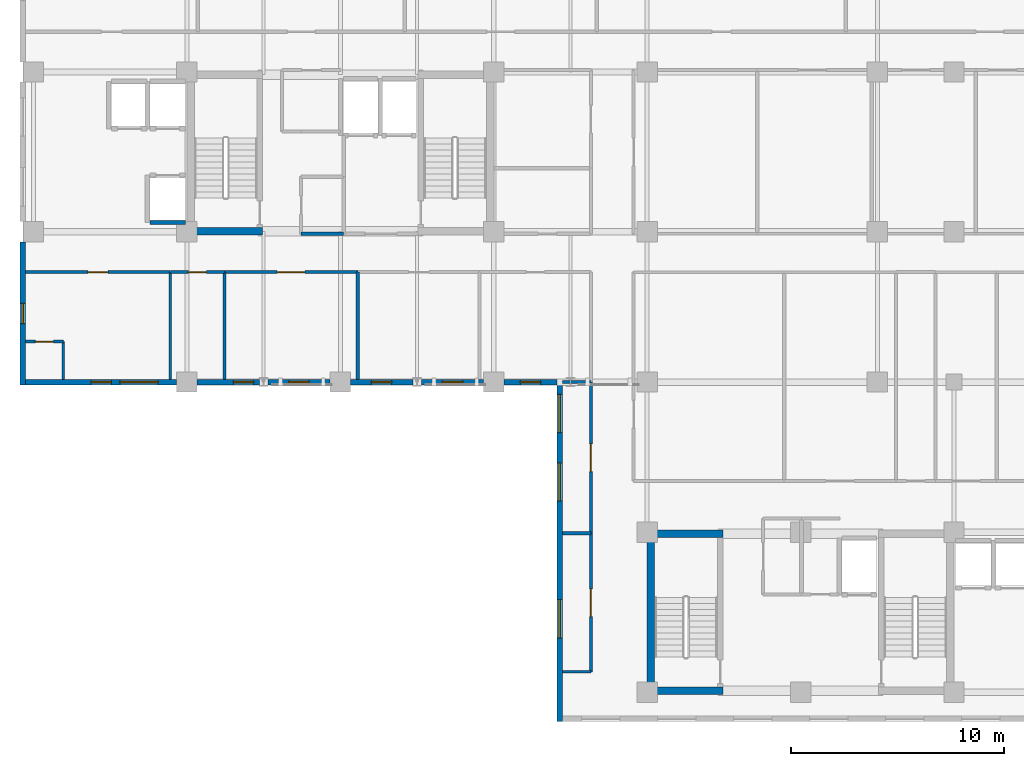
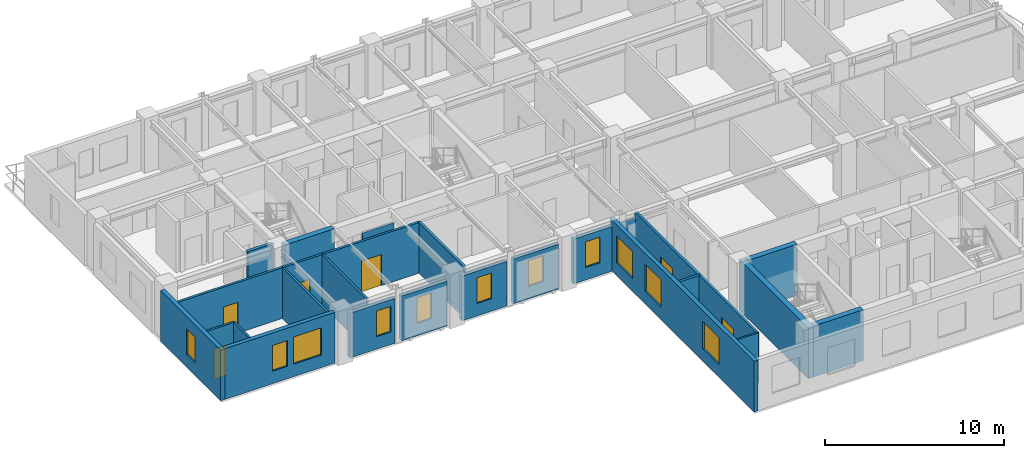
# One storey, part 5 of 13: 27 walls, 11 windows, 6 doors, 17 openings.
"""IFC4 building model written with IfcOpenShell, lengths in metres."""

from ifc_helpers import new_model, si_unit, direction, frame, frame_2d, origin, place, context, subcontext, project, spatial, rectangle, extrude, material, layer, layer_set, type_object, element, fill, save


model = new_model("IFC4")

# Units and contexts
model_context = context("Model", 3, precision=1e-05, world=origin(), true_north=direction((0.0, 1.0)))
body_context = subcontext(model_context, "Body", "Model", "MODEL_VIEW")
ifc_project = project(units=[si_unit("LENGTHUNIT", "METRE"), si_unit("AREAUNIT", "SQUARE_METRE"), si_unit("VOLUMEUNIT", "CUBIC_METRE"), si_unit("PLANEANGLEUNIT", "RADIAN"), si_unit("MASSUNIT", "GRAM", prefix="KILO")], contexts=[model_context])

# Site, building, storey
site_placement = place(None, origin())
site = spatial("IfcSite", under=ifc_project, at=site_placement, CompositionType="ELEMENT")
building_placement = place(site_placement, origin())
building = spatial("IfcBuilding", under=site, at=building_placement, Name="Kaliganga Portal Commons", CompositionType="ELEMENT")
storey_placement = place(building_placement, frame((0.0, 0.0, 212.89990234375)))
storey = spatial("IfcBuildingStorey", under=building, at=storey_placement, Name="L54", CompositionType="ELEMENT", Elevation=212.89990234375)

# Walls
ifc_material_1 = material(Name="Concrete C50/60", Category="concrete")
ifc_layer_1 = layer(ifc_material_1, 0.35009765625)
ifc_layer_set_1 = layer_set([ifc_layer_1], Name="Concrete C50/60")
wall_type_1 = type_object("IfcWallType", Name="WL-CORE-350", PredefinedType="SHEAR", material=ifc_layer_set_1)
wall_1_placement = place(storey_placement, frame((14.75, 28.675048828125, 0.0), z_axis=(0.0, 0.0, 1.0), x_axis=(1.0, 0.0, 0.0)))
element("IfcWall", 1, at=wall_1_placement, inside=storey, type_object=wall_type_1, Name="Core A S-West Shear Wall L54", PredefinedType="SHEAR", context=body_context, shape_type="SweptSolid", body=[
    extrude(rectangle(XDim=3.199951171875, YDim=0.35009765625, at=frame_2d((1.60009765625, 0.0))), origin(), (0.0, 0.0, 1.0), 3.47021484375),
])
wall_2_placement = place(storey_placement, frame((36.175048828125, 6.949951171875, 0.0), z_axis=(0.0, 0.0, 1.0), x_axis=(0.0, 1.0, 0.0)))
element("IfcWall", 2, at=wall_2_placement, inside=storey, type_object=wall_type_1, Name="Core B West Shear Wall L54", PredefinedType="SHEAR", context=body_context, shape_type="SweptSolid", body=[
    extrude(rectangle(XDim=7.699951171875, YDim=0.35009765625, at=frame_2d((3.85009765625, 0.0))), origin(), (0.0, 0.0, 1.0), 3.47021484375),
])
for number, where, z_axis, x_axis, name in (
    (3, (36.35009765625, 7.125, 0.0), (0.0, 0.0, 1.0), (1.0, 0.0, 0.0), "Core B S-West Shear Wall L54"),
    (4, (36.35009765625, 14.47509765625, 0.0), (0.0, 0.0, 1.0), (1.0, 0.0, 0.0), "Core B N-West Shear Wall L54"),
):
    element("IfcWall", number, at=place(storey_placement, frame(where, z_axis=z_axis, x_axis=x_axis)), inside=storey, type_object=wall_type_1, Name=name, PredefinedType="SHEAR", context=body_context, shape_type="SweptSolid", body=[
        extrude(rectangle(XDim=3.199951171875, YDim=0.35009765625, at=frame_2d((1.60009765625, 0.0))), origin(), (0.0, 0.0, 1.0), 3.47021484375),
    ])

# Wall, opening, window
ifc_material_2 = material(Name="Insulated Aluminium-Clad Spandrel Assembly", Category="aluminium")
ifc_layer_2 = layer(ifc_material_2, 0.260009765625)
ifc_layer_set_2 = layer_set([ifc_layer_2], Name="Insulated Aluminium-Clad Spandrel Assembly")
wall_type_2 = type_object("IfcWallType", Name="WL-EXT-SPAND-260", PredefinedType="STANDARD", material=ifc_layer_set_2)
wall_3_placement = place(storey_placement, frame((6.699951171875, 21.469970703125, 0.0), z_axis=(0.0, 0.0, 1.0), x_axis=(0.0, 1.0, 0.0)))
wall_3 = element("IfcWall", 5, at=wall_3_placement, inside=storey, type_object=wall_type_2, Name="Exterior Envelope Wall L54 P1-E03-S3", PredefinedType="STANDARD", context=body_context, shape_type="SweptSolid", body=[
    extrude(rectangle(XDim=6.7041015625, YDim=0.260009765625, at=frame_2d((3.35205078125, 0.0))), origin(), (0.0, 0.0, 1.0), 3.4501953125),
])
opening_1_placement = place(wall_3_placement, frame((2.876953125, 0.0, 0.85009765625)))
opening_1 = element("IfcOpeningElement", 6, at=opening_1_placement, cuts=wall_3, Name="Opening W-04", PredefinedType="OPENING", context=body_context, shape_type="SweptSolid", body=[
    extrude(rectangle(XDim=0.949951171875, YDim=1.75, at=frame_2d((0.47509765625, 0.875))), frame((0.0, 0.14013671875, 0.0), z_axis=(0.0, -1.0, 0.0), x_axis=(1.0, 0.0, 0.0)), (0.0, 0.0, 1.0), 0.280029296875),
])
ifc_material_3 = material(Name="Thermally Broken Aluminium and Low-E Double Glazing", Category="aluminium")
window_type_1 = type_object("IfcWindowType", Name="WIN-NARROW-950", PartitioningType="SINGLE_PANEL", PredefinedType="WINDOW", material=ifc_material_3)
window_1_placement = place(opening_1_placement, origin())
window_1 = element("IfcWindow", 7, at=window_1_placement, inside=storey, type_object=window_type_1, Name="Facade Window L54-P1E03S3-N0", OverallHeight=1.75, OverallWidth=0.949951171875, PartitioningType="SINGLE_PANEL", PredefinedType="WINDOW", context=body_context, shape_type="SweptSolid", body=[
    extrude(rectangle(XDim=0.949951171875, YDim=1.75, at=frame_2d((0.47509765625, 0.875))), frame((0.0, 0.030029296875, 0.0), z_axis=(0.0, -1.0, 0.0), x_axis=(1.0, 0.0, 0.0)), (0.0, 0.0, 1.0), 0.06005859375),
])
fill(opening_1, window_1)

# Wall, openings, windows
wall_4_placement = place(storey_placement, frame((13.924072265625, 21.60009765625, 0.0), z_axis=(0.0, 0.0, 1.0), x_axis=(-1.0, 0.0, 0.0)))
wall_4 = element("IfcWall", 8, at=wall_4_placement, inside=storey, type_object=wall_type_2, Name="Exterior Envelope Wall L54 P1-E04-S1", PredefinedType="STANDARD", context=body_context, shape_type="SweptSolid", body=[
    extrude(rectangle(XDim=7.089111328125, YDim=0.260009765625, at=frame_2d((3.54443359375, 0.0))), origin(), (0.0, 0.0, 1.0), 3.4501953125),
])
opening_2_placement = place(wall_4_placement, frame((0.872314453125, 0.0, 0.85009765625)))
opening_2 = element("IfcOpeningElement", 9, at=opening_2_placement, cuts=wall_4, Name="Opening W-01", PredefinedType="OPENING", context=body_context, shape_type="SweptSolid", body=[
    extrude(rectangle(XDim=1.800048828125, YDim=1.85009765625, at=frame_2d((0.89990234375, 0.925048828125))), frame((0.0, 0.14013671875, 0.0), z_axis=(0.0, -1.0, 0.0), x_axis=(1.0, 0.0, 0.0)), (0.0, 0.0, 1.0), 0.280029296875),
])
opening_3_placement = place(wall_4_placement, frame((3.069580078125, 0.0, 0.85009765625)))
opening_3 = element("IfcOpeningElement", 10, at=opening_3_placement, cuts=wall_4, Name="Opening W-04", PredefinedType="OPENING", context=body_context, shape_type="SweptSolid", body=[
    extrude(rectangle(XDim=0.949951171875, YDim=1.75, at=frame_2d((0.47509765625, 0.875))), frame((0.0, 0.14013671875, 0.0), z_axis=(0.0, -1.0, 0.0), x_axis=(1.0, 0.0, 0.0)), (0.0, 0.0, 1.0), 0.280029296875),
])
window_2_placement = place(opening_3_placement, origin())
window_2 = element("IfcWindow", 11, at=window_2_placement, inside=storey, type_object=window_type_1, Name="Facade Window L54-P1E04S1-N0", OverallHeight=1.75, OverallWidth=0.949951171875, PartitioningType="SINGLE_PANEL", PredefinedType="WINDOW", context=body_context, shape_type="SweptSolid", body=[
    extrude(rectangle(XDim=0.949951171875, YDim=1.75, at=frame_2d((0.47509765625, 0.875))), frame((0.0, 0.030029296875, 0.0), z_axis=(0.0, -1.0, 0.0), x_axis=(1.0, 0.0, 0.0)), (0.0, 0.0, 1.0), 0.06005859375),
])
fill(opening_3, window_2)
window_type_2 = type_object("IfcWindowType", Name="WIN-STD-1800", PartitioningType="DOUBLE_PANEL_VERTICAL", PredefinedType="WINDOW", material=ifc_material_3)
window_3_placement = place(opening_2_placement, origin())
window_3 = element("IfcWindow", 12, at=window_3_placement, inside=storey, type_object=window_type_2, Name="Facade Window L54-P1E04S1-00", OverallHeight=1.85009765625, OverallWidth=1.800048828125, PartitioningType="SINGLE_PANEL", PredefinedType="WINDOW", context=body_context, shape_type="SweptSolid", body=[
    extrude(rectangle(XDim=1.800048828125, YDim=1.85009765625, at=frame_2d((0.89990234375, 0.925048828125))), frame((0.0, 0.030029296875, 0.0), z_axis=(0.0, -1.0, 0.0), x_axis=(1.0, 0.0, 0.0)), (0.0, 0.0, 1.0), 0.06005859375),
])
fill(opening_2, window_3)

# Wall, opening, window
wall_5_placement = place(storey_placement, frame((17.799560546875, 21.60009765625, 0.0), z_axis=(0.0, 0.0, 1.0), x_axis=(-1.0, 0.0, 0.0)))
wall_5 = element("IfcWall", 13, at=wall_5_placement, inside=storey, type_object=wall_type_2, Name="Exterior Envelope Wall L54 P1-E04-S2", PredefinedType="STANDARD", context=body_context, shape_type="SweptSolid", body=[
    extrude(rectangle(XDim=2.923583984375, YDim=0.260009765625, at=frame_2d((1.4619140625, 0.0))), origin(), (0.0, 0.0, 1.0), 3.050048828125),
])
opening_4_placement = place(wall_5_placement, frame((0.26171875, 0.0, 0.85009765625)))
opening_4 = element("IfcOpeningElement", 14, at=opening_4_placement, cuts=wall_5, Name="Opening W-04", PredefinedType="OPENING", context=body_context, shape_type="SweptSolid", body=[
    extrude(rectangle(XDim=0.949951171875, YDim=1.75, at=frame_2d((0.47509765625, 0.875))), frame((0.0, 0.14013671875, 0.0), z_axis=(0.0, -1.0, 0.0), x_axis=(1.0, 0.0, 0.0)), (0.0, 0.0, 1.0), 0.280029296875),
])
window_4_placement = place(opening_4_placement, origin())
window_4 = element("IfcWindow", 15, at=window_4_placement, inside=storey, type_object=window_type_1, Name="Facade Window L54-P1E04S2-N1", OverallHeight=1.75, OverallWidth=0.949951171875, PartitioningType="SINGLE_PANEL", PredefinedType="WINDOW", context=body_context, shape_type="SweptSolid", body=[
    extrude(rectangle(XDim=0.949951171875, YDim=1.75, at=frame_2d((0.47509765625, 0.875))), frame((0.0, 0.030029296875, 0.0), z_axis=(0.0, -1.0, 0.0), x_axis=(1.0, 0.0, 0.0)), (0.0, 0.0, 1.0), 0.06005859375),
])
fill(opening_4, window_4)

wall_6_placement = place(storey_placement, frame((21.1240234375, 21.60009765625, 0.0), z_axis=(0.0, 0.0, 1.0), x_axis=(-1.0, 0.0, 0.0)))
wall_6 = element("IfcWall", 16, at=wall_6_placement, inside=storey, type_object=wall_type_2, Name="Exterior Envelope Wall L54 P1-E04-S3", PredefinedType="STANDARD", context=body_context, shape_type="SweptSolid", body=[
    extrude(rectangle(XDim=2.923583984375, YDim=0.260009765625, at=frame_2d((1.4619140625, 0.0))), origin(), (0.0, 0.0, 1.0), 3.050048828125),
])
opening_5_placement = place(wall_6_placement, frame((0.98681640625, 0.0, 0.85009765625)))
opening_5 = element("IfcOpeningElement", 17, at=opening_5_placement, cuts=wall_6, Name="Opening W-04", PredefinedType="OPENING", context=body_context, shape_type="SweptSolid", body=[
    extrude(rectangle(XDim=0.949951171875, YDim=1.75, at=frame_2d((0.47509765625, 0.875))), frame((0.0, 0.14013671875, 0.0), z_axis=(0.0, -1.0, 0.0), x_axis=(1.0, 0.0, 0.0)), (0.0, 0.0, 1.0), 0.280029296875),
])
window_5_placement = place(opening_5_placement, origin())
window_5 = element("IfcWindow", 18, at=window_5_placement, inside=storey, type_object=window_type_1, Name="Facade Window L54-P1E04S3-00", OverallHeight=1.75, OverallWidth=0.949951171875, PartitioningType="SINGLE_PANEL", PredefinedType="WINDOW", context=body_context, shape_type="SweptSolid", body=[
    extrude(rectangle(XDim=0.949951171875, YDim=1.75, at=frame_2d((0.47509765625, 0.875))), frame((0.0, 0.030029296875, 0.0), z_axis=(0.0, -1.0, 0.0), x_axis=(1.0, 0.0, 0.0)), (0.0, 0.0, 1.0), 0.06005859375),
])
fill(opening_5, window_5)

wall_7_placement = place(storey_placement, frame((24.99951171875, 21.60009765625, 0.0), z_axis=(0.0, 0.0, 1.0), x_axis=(-1.0, 0.0, 0.0)))
wall_7 = element("IfcWall", 19, at=wall_7_placement, inside=storey, type_object=wall_type_2, Name="Exterior Envelope Wall L54 P1-E04-S4", PredefinedType="STANDARD", context=body_context, shape_type="SweptSolid", body=[
    extrude(rectangle(XDim=2.923583984375, YDim=0.260009765625, at=frame_2d((1.4619140625, 0.0))), origin(), (0.0, 0.0, 1.0), 3.050048828125),
])
opening_6_placement = place(wall_7_placement, frame((0.98681640625, 0.0, 0.85009765625)))
opening_6 = element("IfcOpeningElement", 20, at=opening_6_placement, cuts=wall_7, Name="Opening W-04", PredefinedType="OPENING", context=body_context, shape_type="SweptSolid", body=[
    extrude(rectangle(XDim=0.949951171875, YDim=1.75, at=frame_2d((0.47509765625, 0.875))), frame((0.0, 0.14013671875, 0.0), z_axis=(0.0, -1.0, 0.0), x_axis=(1.0, 0.0, 0.0)), (0.0, 0.0, 1.0), 0.280029296875),
])
window_6_placement = place(opening_6_placement, origin())
window_6 = element("IfcWindow", 21, at=window_6_placement, inside=storey, type_object=window_type_1, Name="Facade Window L54-P1E04S4-00", OverallHeight=1.75, OverallWidth=0.949951171875, PartitioningType="SINGLE_PANEL", PredefinedType="WINDOW", context=body_context, shape_type="SweptSolid", body=[
    extrude(rectangle(XDim=0.949951171875, YDim=1.75, at=frame_2d((0.47509765625, 0.875))), frame((0.0, 0.030029296875, 0.0), z_axis=(0.0, -1.0, 0.0), x_axis=(1.0, 0.0, 0.0)), (0.0, 0.0, 1.0), 0.06005859375),
])
fill(opening_6, window_6)

wall_8_placement = place(storey_placement, frame((28.323974609375, 21.60009765625, 0.0), z_axis=(0.0, 0.0, 1.0), x_axis=(-1.0, 0.0, 0.0)))
wall_8 = element("IfcWall", 22, at=wall_8_placement, inside=storey, type_object=wall_type_2, Name="Exterior Envelope Wall L54 P1-E04-S5", PredefinedType="STANDARD", context=body_context, shape_type="SweptSolid", body=[
    extrude(rectangle(XDim=2.923583984375, YDim=0.260009765625, at=frame_2d((1.4619140625, 0.0))), origin(), (0.0, 0.0, 1.0), 3.050048828125),
])
opening_7_placement = place(wall_8_placement, frame((0.98681640625, 0.0, 0.85009765625)))
opening_7 = element("IfcOpeningElement", 23, at=opening_7_placement, cuts=wall_8, Name="Opening W-04", PredefinedType="OPENING", context=body_context, shape_type="SweptSolid", body=[
    extrude(rectangle(XDim=0.949951171875, YDim=1.75, at=frame_2d((0.47509765625, 0.875))), frame((0.0, 0.14013671875, 0.0), z_axis=(0.0, -1.0, 0.0), x_axis=(1.0, 0.0, 0.0)), (0.0, 0.0, 1.0), 0.280029296875),
])
window_7_placement = place(opening_7_placement, origin())
window_7 = element("IfcWindow", 24, at=window_7_placement, inside=storey, type_object=window_type_1, Name="Facade Window L54-P1E04S5-00", OverallHeight=1.75, OverallWidth=0.949951171875, PartitioningType="SINGLE_PANEL", PredefinedType="WINDOW", context=body_context, shape_type="SweptSolid", body=[
    extrude(rectangle(XDim=0.949951171875, YDim=1.75, at=frame_2d((0.47509765625, 0.875))), frame((0.0, 0.030029296875, 0.0), z_axis=(0.0, -1.0, 0.0), x_axis=(1.0, 0.0, 0.0)), (0.0, 0.0, 1.0), 0.06005859375),
])
fill(opening_7, window_7)

wall_9_placement = place(storey_placement, frame((31.764892578125, 21.60009765625, 0.0), z_axis=(0.0, 0.0, 1.0), x_axis=(-1.0, 0.0, 0.0)))
wall_9 = element("IfcWall", 25, at=wall_9_placement, inside=storey, type_object=wall_type_2, Name="Exterior Envelope Wall L54 P1-E04-S6", PredefinedType="STANDARD", context=body_context, shape_type="SweptSolid", body=[
    extrude(rectangle(XDim=2.489013671875, YDim=0.260009765625, at=frame_2d((1.24462890625, 0.0))), origin(), (0.0, 0.0, 1.0), 3.050048828125),
])
opening_8_placement = place(wall_9_placement, frame((0.76953125, 0.0, 0.85009765625)))
opening_8 = element("IfcOpeningElement", 26, at=opening_8_placement, cuts=wall_9, Name="Opening W-04", PredefinedType="OPENING", context=body_context, shape_type="SweptSolid", body=[
    extrude(rectangle(XDim=0.949951171875, YDim=1.75, at=frame_2d((0.47509765625, 0.875))), frame((0.0, 0.14013671875, 0.0), z_axis=(0.0, -1.0, 0.0), x_axis=(1.0, 0.0, 0.0)), (0.0, 0.0, 1.0), 0.280029296875),
])
window_8_placement = place(opening_8_placement, origin())
window_8 = element("IfcWindow", 27, at=window_8_placement, inside=storey, type_object=window_type_1, Name="Facade Window L54-P1E04S6-00", OverallHeight=1.75, OverallWidth=0.949951171875, PartitioningType="SINGLE_PANEL", PredefinedType="WINDOW", context=body_context, shape_type="SweptSolid", body=[
    extrude(rectangle(XDim=0.949951171875, YDim=1.75, at=frame_2d((0.47509765625, 0.875))), frame((0.0, 0.030029296875, 0.0), z_axis=(0.0, -1.0, 0.0), x_axis=(1.0, 0.0, 0.0)), (0.0, 0.0, 1.0), 0.06005859375),
])
fill(opening_8, window_8)

# Wall, openings, windows
wall_10_placement = place(storey_placement, frame((31.89990234375, 5.669921875, 0.0), z_axis=(0.0, 0.0, 1.0), x_axis=(0.0, 1.0, 0.0)))
wall_10 = element("IfcWall", 28, at=wall_10_placement, inside=storey, type_object=wall_type_2, Name="Exterior Envelope Wall L54 P1-E05-S1", PredefinedType="STANDARD", context=body_context, shape_type="SweptSolid", body=[
    extrude(rectangle(XDim=16.06005859375, YDim=0.260009765625, at=frame_2d((8.030029296875, 0.0))), origin(), (0.0, 0.0, 1.0), 3.4501953125),
])
opening_9_placement = place(wall_10_placement, frame((3.91796875, 0.0, 0.85009765625)))
opening_9 = element("IfcOpeningElement", 29, at=opening_9_placement, cuts=wall_10, Name="Opening W-01", PredefinedType="OPENING", context=body_context, shape_type="SweptSolid", body=[
    extrude(rectangle(XDim=1.800048828125, YDim=1.85009765625, at=frame_2d((0.89990234375, 0.925048828125))), frame((0.0, 0.14013671875, 0.0), z_axis=(0.0, -1.0, 0.0), x_axis=(1.0, 0.0, 0.0)), (0.0, 0.0, 1.0), 0.280029296875),
])
opening_10_placement = place(wall_10_placement, frame((10.342041015625, 0.0, 0.85009765625)))
opening_10 = element("IfcOpeningElement", 30, at=opening_10_placement, cuts=wall_10, Name="Opening W-01", PredefinedType="OPENING", context=body_context, shape_type="SweptSolid", body=[
    extrude(rectangle(XDim=1.800048828125, YDim=1.85009765625, at=frame_2d((0.89990234375, 0.925048828125))), frame((0.0, 0.14013671875, 0.0), z_axis=(0.0, -1.0, 0.0), x_axis=(1.0, 0.0, 0.0)), (0.0, 0.0, 1.0), 0.280029296875),
])
opening_11_placement = place(wall_10_placement, frame((13.553955078125, 0.0, 0.85009765625)))
opening_11 = element("IfcOpeningElement", 31, at=opening_11_placement, cuts=wall_10, Name="Opening W-01", PredefinedType="OPENING", context=body_context, shape_type="SweptSolid", body=[
    extrude(rectangle(XDim=1.800048828125, YDim=1.85009765625, at=frame_2d((0.89990234375, 0.925048828125))), frame((0.0, 0.14013671875, 0.0), z_axis=(0.0, -1.0, 0.0), x_axis=(1.0, 0.0, 0.0)), (0.0, 0.0, 1.0), 0.280029296875),
])
window_9_placement = place(opening_9_placement, origin())
window_9 = element("IfcWindow", 32, at=window_9_placement, inside=storey, type_object=window_type_2, Name="Facade Window L54-P1E05S1-01", OverallHeight=1.85009765625, OverallWidth=1.800048828125, PartitioningType="SINGLE_PANEL", PredefinedType="WINDOW", context=body_context, shape_type="SweptSolid", body=[
    extrude(rectangle(XDim=1.800048828125, YDim=1.85009765625, at=frame_2d((0.89990234375, 0.925048828125))), frame((0.0, 0.030029296875, 0.0), z_axis=(0.0, -1.0, 0.0), x_axis=(1.0, 0.0, 0.0)), (0.0, 0.0, 1.0), 0.06005859375),
])
fill(opening_9, window_9)
window_10_placement = place(opening_10_placement, origin())
window_10 = element("IfcWindow", 33, at=window_10_placement, inside=storey, type_object=window_type_2, Name="Facade Window L54-P1E05S1-03", OverallHeight=1.85009765625, OverallWidth=1.800048828125, PartitioningType="SINGLE_PANEL", PredefinedType="WINDOW", context=body_context, shape_type="SweptSolid", body=[
    extrude(rectangle(XDim=1.800048828125, YDim=1.85009765625, at=frame_2d((0.89990234375, 0.925048828125))), frame((0.0, 0.030029296875, 0.0), z_axis=(0.0, -1.0, 0.0), x_axis=(1.0, 0.0, 0.0)), (0.0, 0.0, 1.0), 0.06005859375),
])
fill(opening_10, window_10)
window_11_placement = place(opening_11_placement, origin())
window_11 = element("IfcWindow", 34, at=window_11_placement, inside=storey, type_object=window_type_2, Name="Facade Window L54-P1E05S1-04", OverallHeight=1.85009765625, OverallWidth=1.800048828125, PartitioningType="SINGLE_PANEL", PredefinedType="WINDOW", context=body_context, shape_type="SweptSolid", body=[
    extrude(rectangle(XDim=1.800048828125, YDim=1.85009765625, at=frame_2d((0.89990234375, 0.925048828125))), frame((0.0, 0.030029296875, 0.0), z_axis=(0.0, -1.0, 0.0), x_axis=(1.0, 0.0, 0.0)), (0.0, 0.0, 1.0), 0.06005859375),
])
fill(opening_11, window_11)

# Wall, opening, door
ifc_material_4 = material(Name="Fire-Rated Gypsum Board on Steel Stud", Category="steel")
ifc_layer_3 = layer(ifc_material_4, 0.14990234375)
ifc_layer_set_3 = layer_set([ifc_layer_3], Name="Fire-Rated Gypsum Board on Steel Stud")
wall_type_3 = type_object("IfcWallType", Name="WL-PART-CORR-150", PredefinedType="PARTITIONING", material=ifc_layer_set_3)
wall_11_placement = place(storey_placement, frame((33.360107421875, 14.5, 0.0), z_axis=(0.0, 0.0, 1.0), x_axis=(0.0, 1.0, 0.0)))
wall_11 = element("IfcWall", 35, at=wall_11_placement, inside=storey, type_object=wall_type_3, Name="Interior Partition L54-015", PredefinedType="PARTITIONING", context=body_context, shape_type="SweptSolid", body=[
    extrude(rectangle(XDim=7.10009765625, YDim=0.14990234375, at=frame_2d((3.550048828125, 0.0))), origin(), (0.0, 0.0, 1.0), 3.4501953125),
])
opening_12_placement = place(wall_11_placement, frame((2.89990234375, 0.0, 0.0)))
opening_12 = element("IfcOpeningElement", 36, at=opening_12_placement, cuts=wall_11, Name="Opening RD-03", PredefinedType="OPENING", context=body_context, shape_type="SweptSolid", body=[
    extrude(rectangle(XDim=1.300048828125, YDim=2.1201171875, at=frame_2d((0.64990234375, 1.06005859375))), frame((0.0, 0.0849609375, 0.0), z_axis=(0.0, -1.0, 0.0), x_axis=(1.0, 0.0, 0.0)), (0.0, 0.0, 1.0), 0.169921875),
])
ifc_material_5 = material(Name="Glazed Timber Seminar Vision Door", Category="wood")
door_type_1 = type_object("IfcDoorType", Name="DR-STUDY-1300", OperationType="DOUBLE_DOOR_SINGLE_SWING", PredefinedType="DOOR", material=ifc_material_5)
door_1_placement = place(opening_12_placement, origin())
door_1 = element("IfcDoor", 37, at=door_1_placement, inside=storey, type_object=door_type_1, Name="Interior Door L54-KW02", OperationType="DOUBLE_DOOR_SINGLE_SWING", OverallHeight=2.1201171875, OverallWidth=1.300048828125, PredefinedType="DOOR", context=body_context, shape_type="SweptSolid", body=[
    extrude(rectangle(XDim=1.300048828125, YDim=2.1201171875, at=frame_2d((0.64990234375, 1.06005859375))), frame((0.0, 0.02490234375, 0.0), z_axis=(0.0, -1.0, 0.0), x_axis=(1.0, 0.0, 0.0)), (0.0, 0.0, 1.0), 0.050048828125),
])
fill(opening_12, door_1)

wall_12_placement = place(storey_placement, frame((6.83203125, 26.760009765625, 0.0), z_axis=(0.0, 0.0, 1.0), x_axis=(1.0, 0.0, 0.0)))
wall_12 = element("IfcWall", 38, at=wall_12_placement, inside=storey, type_object=wall_type_3, Name="Interior Partition L54-017", PredefinedType="PARTITIONING", context=body_context, shape_type="SweptSolid", body=[
    extrude(rectangle(XDim=6.7880859375, YDim=0.14990234375, at=frame_2d((3.39404296875, 0.0))), origin(), (0.0, 0.0, 1.0), 3.4501953125),
])
opening_13_placement = place(wall_12_placement, frame((2.9189453125, 0.0, 0.0)))
opening_13 = element("IfcOpeningElement", 39, at=opening_13_placement, cuts=wall_12, Name="Opening UD-01", PredefinedType="OPENING", context=body_context, shape_type="SweptSolid", body=[
    extrude(rectangle(XDim=0.949951171875, YDim=2.10009765625, at=frame_2d((0.47509765625, 1.050048828125))), frame((0.0, 0.0849609375, 0.0), z_axis=(0.0, -1.0, 0.0), x_axis=(1.0, 0.0, 0.0)), (0.0, 0.0, 1.0), 0.169921875),
])
ifc_material_6 = material(Name="Solid-Core Timber Acoustic Fire Door", Category="wood")
door_type_2 = type_object("IfcDoorType", Name="DR-UNIT-950", OperationType="NOTDEFINED", PredefinedType="DOOR", material=ifc_material_6)
door_2_placement = place(opening_13_placement, origin())
door_2 = element("IfcDoor", 40, at=door_2_placement, inside=storey, type_object=door_type_2, Name="Interior Door L54-AS01", OperationType="SINGLE_SWING_LEFT", OverallHeight=2.10009765625, OverallWidth=0.949951171875, PredefinedType="DOOR", context=body_context, shape_type="SweptSolid", body=[
    extrude(rectangle(XDim=0.949951171875, YDim=2.10009765625, at=frame_2d((0.47509765625, 1.050048828125))), frame((0.0, 0.02490234375, 0.0), z_axis=(0.0, -1.0, 0.0), x_axis=(1.0, 0.0, 0.0)), (0.0, 0.0, 1.0), 0.050048828125),
])
fill(opening_13, door_2)

wall_13_placement = place(storey_placement, frame((33.360107421875, 8.0, 0.0), z_axis=(0.0, 0.0, 1.0), x_axis=(0.0, 1.0, 0.0)))
wall_13 = element("IfcWall", 41, at=wall_13_placement, inside=storey, type_object=wall_type_3, Name="Interior Partition L54-018", PredefinedType="PARTITIONING", context=body_context, shape_type="SweptSolid", body=[
    extrude(rectangle(XDim=6.5, YDim=0.14990234375, at=frame_2d((3.25, 0.0))), origin(), (0.0, 0.0, 1.0), 3.4501953125),
])
opening_14_placement = place(wall_13_placement, frame((2.60009765625, 0.0, 0.0)))
opening_14 = element("IfcOpeningElement", 42, at=opening_14_placement, cuts=wall_13, Name="Opening RD-03", PredefinedType="OPENING", context=body_context, shape_type="SweptSolid", body=[
    extrude(rectangle(XDim=1.300048828125, YDim=2.1201171875, at=frame_2d((0.64990234375, 1.06005859375))), frame((0.0, 0.0849609375, 0.0), z_axis=(0.0, -1.0, 0.0), x_axis=(1.0, 0.0, 0.0)), (0.0, 0.0, 1.0), 0.169921875),
])
door_3_placement = place(opening_14_placement, origin())
door_3 = element("IfcDoor", 43, at=door_3_placement, inside=storey, type_object=door_type_1, Name="Interior Door L54-KW01", OperationType="DOUBLE_DOOR_SINGLE_SWING", OverallHeight=2.1201171875, OverallWidth=1.300048828125, PredefinedType="DOOR", context=body_context, shape_type="SweptSolid", body=[
    extrude(rectangle(XDim=1.300048828125, YDim=2.1201171875, at=frame_2d((0.64990234375, 1.06005859375))), frame((0.0, 0.02490234375, 0.0), z_axis=(0.0, -1.0, 0.0), x_axis=(1.0, 0.0, 0.0)), (0.0, 0.0, 1.0), 0.050048828125),
])
fill(opening_14, door_3)

wall_14_placement = place(storey_placement, frame((16.159912109375, 26.760009765625, 0.0), z_axis=(0.0, 0.0, 1.0), x_axis=(1.0, 0.0, 0.0)))
wall_14 = element("IfcWall", 44, at=wall_14_placement, inside=storey, type_object=wall_type_3, Name="Interior Partition L54-019", PredefinedType="PARTITIONING", context=body_context, shape_type="SweptSolid", body=[
    extrude(rectangle(XDim=6.260009765625, YDim=0.14990234375, at=frame_2d((3.1298828125, 0.0))), origin(), (0.0, 0.0, 1.0), 3.4501953125),
])
opening_15_placement = place(wall_14_placement, frame((2.47998046875, 0.0, 0.0)))
opening_15 = element("IfcOpeningElement", 45, at=opening_15_placement, cuts=wall_14, Name="Opening RD-03", PredefinedType="OPENING", context=body_context, shape_type="SweptSolid", body=[
    extrude(rectangle(XDim=1.300048828125, YDim=2.1201171875, at=frame_2d((0.64990234375, 1.06005859375))), frame((0.0, 0.0849609375, 0.0), z_axis=(0.0, -1.0, 0.0), x_axis=(1.0, 0.0, 0.0)), (0.0, 0.0, 1.0), 0.169921875),
])
door_4_placement = place(opening_15_placement, origin())
door_4 = element("IfcDoor", 46, at=door_4_placement, inside=storey, type_object=door_type_1, Name="Interior Door L54-AS03", OperationType="DOUBLE_DOOR_SINGLE_SWING", OverallHeight=2.1201171875, OverallWidth=1.300048828125, PredefinedType="DOOR", context=body_context, shape_type="SweptSolid", body=[
    extrude(rectangle(XDim=1.300048828125, YDim=2.1201171875, at=frame_2d((0.64990234375, 1.06005859375))), frame((0.0, 0.02490234375, 0.0), z_axis=(0.0, -1.0, 0.0), x_axis=(1.0, 0.0, 0.0)), (0.0, 0.0, 1.0), 0.050048828125),
])
fill(opening_15, door_4)

wall_15_placement = place(storey_placement, frame((13.6201171875, 26.760009765625, 0.0), z_axis=(0.0, 0.0, 1.0), x_axis=(1.0, 0.0, 0.0)))
wall_15 = element("IfcWall", 47, at=wall_15_placement, inside=storey, type_object=wall_type_3, Name="Interior Partition L54-038", PredefinedType="PARTITIONING", context=body_context, shape_type="SweptSolid", body=[
    extrude(rectangle(XDim=2.539794921875, YDim=0.14990234375, at=frame_2d((1.27001953125, 0.0))), origin(), (0.0, 0.0, 1.0), 3.4501953125),
])
opening_16_placement = place(wall_15_placement, frame((0.844970703125, 0.0, 0.0)))
opening_16 = element("IfcOpeningElement", 48, at=opening_16_placement, cuts=wall_15, Name="Opening WD-01", PredefinedType="OPENING", context=body_context, shape_type="SweptSolid", body=[
    extrude(rectangle(XDim=0.85009765625, YDim=2.0400390625, at=frame_2d((0.425048828125, 1.02001953125))), frame((0.0, 0.0849609375, 0.0), z_axis=(0.0, -1.0, 0.0), x_axis=(1.0, 0.0, 0.0)), (0.0, 0.0, 1.0), 0.169921875),
])
ifc_material_7 = material(Name="Moisture-Resistant Laminate Timber Door", Category="wood")
door_type_3 = type_object("IfcDoorType", Name="DR-WET-850", OperationType="NOTDEFINED", PredefinedType="DOOR", material=ifc_material_7)
door_5_placement = place(opening_16_placement, origin())
door_5 = element("IfcDoor", 49, at=door_5_placement, inside=storey, type_object=door_type_3, Name="Interior Door L54-AS02", OperationType="SINGLE_SWING_LEFT", OverallHeight=2.0400390625, OverallWidth=0.85009765625, PredefinedType="DOOR", context=body_context, shape_type="SweptSolid", body=[
    extrude(rectangle(XDim=0.85009765625, YDim=2.0400390625, at=frame_2d((0.425048828125, 1.02001953125))), frame((0.0, 0.02490234375, 0.0), z_axis=(0.0, -1.0, 0.0), x_axis=(1.0, 0.0, 0.0)), (0.0, 0.0, 1.0), 0.050048828125),
])
fill(opening_16, door_5)

# Walls
wall_16_placement = place(storey_placement, frame((19.760009765625, 28.56005859375, 0.0), z_axis=(0.0, 0.0, 1.0), x_axis=(1.0, 0.0, 0.0)))
element("IfcWall", 50, at=wall_16_placement, inside=storey, type_object=wall_type_3, Name="Interior Partition L54-039", PredefinedType="PARTITIONING", context=body_context, shape_type="SweptSolid", body=[
    extrude(rectangle(XDim=2.0, YDim=0.14990234375, at=frame_2d((1.0, 0.0))), origin(), (0.0, 0.0, 1.0), 2.550048828125),
])
ifc_material_8 = material(Name="Moisture-Resistant Gypsum Partition", Category="gypsum")
ifc_layer_4 = layer(ifc_material_8, 0.114990234375)
ifc_layer_set_4 = layer_set([ifc_layer_4], Name="Moisture-Resistant Gypsum Partition")
wall_type_4 = type_object("IfcWallType", Name="WL-PART-ROOM-115", PredefinedType="PARTITIONING", material=ifc_layer_set_4)
wall_17_placement = place(storey_placement, frame((32.031982421875, 8.0, 0.0), z_axis=(0.0, 0.0, 1.0), x_axis=(1.0, 0.0, 0.0)))
element("IfcWall", 51, at=wall_17_placement, inside=storey, type_object=wall_type_4, Name="Interior Partition L54-080", PredefinedType="PARTITIONING", context=body_context, shape_type="SweptSolid", body=[
    extrude(rectangle(XDim=1.328125, YDim=0.114990234375, at=frame_2d((0.6640625, 0.0))), origin(), (0.0, 0.0, 1.0), 3.4501953125),
])
ifc_material_9 = material(Name="Twin-Stud Acoustic Gypsum Partition", Category="gypsum")
ifc_layer_5 = layer(ifc_material_9, 0.1650390625)
ifc_layer_set_5 = layer_set([ifc_layer_5], Name="Twin-Stud Acoustic Gypsum Partition")
wall_type_5 = type_object("IfcWallType", Name="WL-PART-UNIT-165", PredefinedType="PARTITIONING", material=ifc_layer_set_5)
wall_18_placement = place(storey_placement, frame((22.419921875, 21.73193359375, 0.0), z_axis=(0.0, 0.0, 1.0), x_axis=(0.0, 1.0, 0.0)))
element("IfcWall", 52, at=wall_18_placement, inside=storey, type_object=wall_type_5, Name="Interior Partition L54-070", PredefinedType="PARTITIONING", context=body_context, shape_type="SweptSolid", body=[
    extrude(rectangle(XDim=5.028076171875, YDim=0.1650390625, at=frame_2d((2.51416015625, 0.0))), origin(), (0.0, 0.0, 1.0), 3.4501953125),
])
wall_19_placement = place(storey_placement, frame((32.031982421875, 14.5, 0.0), z_axis=(0.0, 0.0, 1.0), x_axis=(1.0, 0.0, 0.0)))
element("IfcWall", 53, at=wall_19_placement, inside=storey, type_object=wall_type_5, Name="Interior Partition L54-081", PredefinedType="PARTITIONING", context=body_context, shape_type="SweptSolid", body=[
    extrude(rectangle(XDim=1.328125, YDim=0.1650390625, at=frame_2d((0.6640625, 0.0))), origin(), (0.0, 0.0, 1.0), 3.4501953125),
])

# Wall, opening, door
ifc_material_10 = material(Name="Cement-Board Wet-Room Partition", Category="gypsum")
ifc_layer_6 = layer(ifc_material_10, 0.135009765625)
ifc_layer_set_6 = layer_set([ifc_layer_6], Name="Cement-Board Wet-Room Partition")
wall_type_6 = type_object("IfcWallType", Name="WL-PART-WET-135", PredefinedType="PARTITIONING", material=ifc_layer_set_6)
wall_20_placement = place(storey_placement, frame((6.83203125, 23.5, 0.0), z_axis=(0.0, 0.0, 1.0), x_axis=(1.0, 0.0, 0.0)))
wall_20 = element("IfcWall", 54, at=wall_20_placement, inside=storey, type_object=wall_type_6, Name="Interior Partition L54-002", PredefinedType="PARTITIONING", context=body_context, shape_type="SweptSolid", body=[
    extrude(rectangle(XDim=1.76806640625, YDim=0.135009765625, at=frame_2d((0.884033203125, 0.0))), origin(), (0.0, 0.0, 1.0), 3.4501953125),
])
opening_17_placement = place(wall_20_placement, frame((0.458984375, 0.0, 0.0)))
opening_17 = element("IfcOpeningElement", 55, at=opening_17_placement, cuts=wall_20, Name="Opening WD-01", PredefinedType="OPENING", context=body_context, shape_type="SweptSolid", body=[
    extrude(rectangle(XDim=0.85009765625, YDim=2.0400390625, at=frame_2d((0.425048828125, 1.02001953125))), frame((0.0, 0.07763671875, 0.0), z_axis=(0.0, -1.0, 0.0), x_axis=(1.0, 0.0, 0.0)), (0.0, 0.0, 1.0), 0.155029296875),
])
door_6_placement = place(opening_17_placement, origin())
door_6 = element("IfcDoor", 56, at=door_6_placement, inside=storey, type_object=door_type_3, Name="Interior Door L54-AS01E", OperationType="SINGLE_SWING_RIGHT", OverallHeight=2.0400390625, OverallWidth=0.85009765625, PredefinedType="DOOR", context=body_context, shape_type="SweptSolid", body=[
    extrude(rectangle(XDim=0.85009765625, YDim=2.0400390625, at=frame_2d((0.425048828125, 1.02001953125))), frame((0.0, 0.02490234375, 0.0), z_axis=(0.0, -1.0, 0.0), x_axis=(1.0, 0.0, 0.0)), (0.0, 0.0, 1.0), 0.050048828125),
])
fill(opening_17, door_6)

# Walls
wall_21_placement = place(storey_placement, frame((8.60009765625, 21.73193359375, 0.0), z_axis=(0.0, 0.0, 1.0), x_axis=(0.0, 1.0, 0.0)))
element("IfcWall", 57, at=wall_21_placement, inside=storey, type_object=wall_type_6, Name="Interior Partition L54-004", PredefinedType="PARTITIONING", context=body_context, shape_type="SweptSolid", body=[
    extrude(rectangle(XDim=1.76806640625, YDim=0.135009765625, at=frame_2d((0.884033203125, 0.0))), origin(), (0.0, 0.0, 1.0), 3.4501953125),
])
for number, where, z_axis, x_axis, name in (
    (58, (13.6201171875, 21.73193359375, 0.0), (0.0, 0.0, 1.0), (0.0, 1.0, 0.0), "Interior Partition L54-068"),
    (59, (16.159912109375, 21.73193359375, 0.0), (0.0, 0.0, 1.0), (0.0, 1.0, 0.0), "Interior Partition L54-069"),
):
    element("IfcWall", number, at=place(storey_placement, frame(where, z_axis=z_axis, x_axis=x_axis)), inside=storey, type_object=wall_type_6, Name=name, PredefinedType="PARTITIONING", context=body_context, shape_type="SweptSolid", body=[
        extrude(rectangle(XDim=5.028076171875, YDim=0.135009765625, at=frame_2d((2.51416015625, 0.0))), origin(), (0.0, 0.0, 1.0), 3.4501953125),
    ])
wall_22_placement = place(storey_placement, frame((32.031982421875, 21.60009765625, 0.0), z_axis=(0.0, 0.0, 1.0), x_axis=(1.0, 0.0, 0.0)))
element("IfcWall", 60, at=wall_22_placement, inside=storey, type_object=wall_type_6, Name="Interior Partition L54-082", PredefinedType="PARTITIONING", context=body_context, shape_type="SweptSolid", body=[
    extrude(rectangle(XDim=1.328125, YDim=0.135009765625, at=frame_2d((0.6640625, 0.0))), origin(), (0.0, 0.0, 1.0), 3.050048828125),
])
ifc_material_11 = material(Name="Fire-Rated Shaftwall Masonry Assembly", Category="masonry")
ifc_layer_7 = layer(ifc_material_11, 0.199951171875)
ifc_layer_set_7 = layer_set([ifc_layer_7], Name="Fire-Rated Shaftwall Masonry Assembly")
wall_type_7 = type_object("IfcWallType", Name="WL-SHAFT-200", PredefinedType="PARTITIONING", material=ifc_layer_set_7)
wall_23_placement = place(storey_placement, frame((12.675048828125, 29.0849609375, 0.0), z_axis=(0.0, 0.0, 1.0), x_axis=(1.0, 0.0, 0.0)))
element("IfcWall", 61, at=wall_23_placement, inside=storey, type_object=wall_type_7, Name="Lift PL-A4 Hoistway Shaft Wall L54-S", PredefinedType="PARTITIONING", context=body_context, shape_type="SweptSolid", body=[
    extrude(rectangle(XDim=1.64990234375, YDim=0.199951171875, at=frame_2d((0.824951171875, 0.0))), origin(), (0.0, 0.0, 1.0), 3.4501953125),
])

save(model, "model.ifc")
